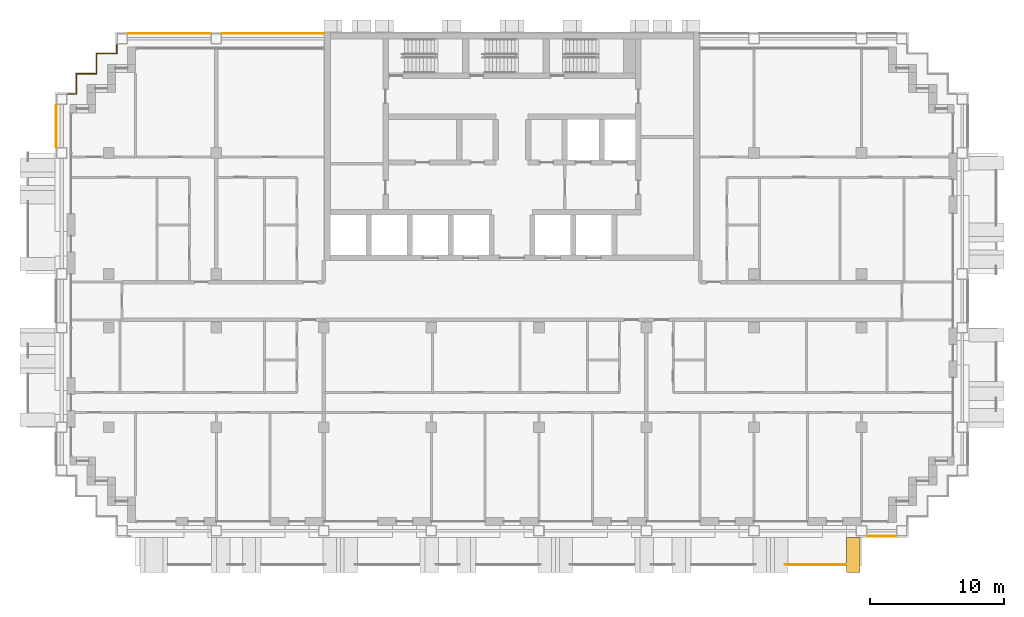
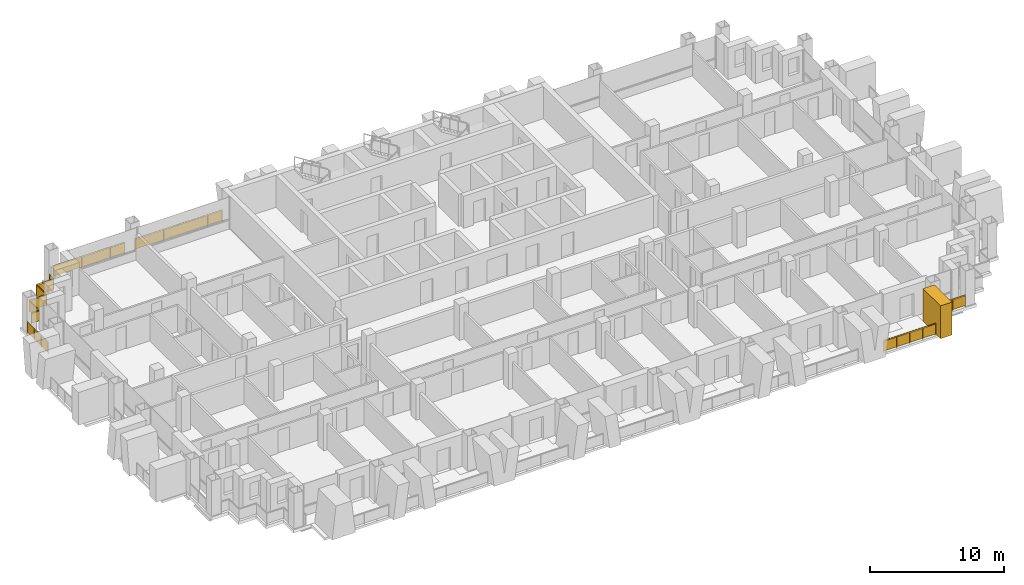
# One storey, part 15 of 17: 6 railings, 1 shading device.
"""IFC4 building model written with IfcOpenShell, lengths in metres."""

from ifc_helpers import new_model, si_unit, direction, frame, origin, origin_2d, place, context, subcontext, project, spatial, polyline, rectangle, circle, outline, extrude, material, layer, layer_set, type_object, element, save


model = new_model("IFC4")

# Units and contexts
model_context = context("Model", 3, precision=1e-05, world=origin(), true_north=direction((0.0, 1.0)))
body_context = subcontext(model_context, "Body", "Model", "MODEL_VIEW")
ifc_project = project(units=[si_unit("LENGTHUNIT", "METRE"), si_unit("AREAUNIT", "SQUARE_METRE"), si_unit("VOLUMEUNIT", "CUBIC_METRE"), si_unit("PLANEANGLEUNIT", "RADIAN"), si_unit("MASSUNIT", "GRAM", prefix="KILO")], contexts=[model_context])

# Site, building, storey
site_placement = place(None, origin())
site = spatial("IfcSite", under=ifc_project, at=site_placement, CompositionType="ELEMENT")
building_placement = place(site_placement, origin())
building = spatial("IfcBuilding", under=site, at=building_placement, Name="Vidyagriha Tower", CompositionType="ELEMENT")
storey_placement = place(building_placement, frame((0.0, 0.0, 139.0)))
storey = spatial("IfcBuildingStorey", under=building, at=storey_placement, Name="L36", CompositionType="ELEMENT", Elevation=139.0)

# Railing
ifc_material_1 = material(Name="Steel ASTM A500 Grade C black painted", Category="steel")
railing_type_1 = type_object("IfcRailingType", Name="Balcony guard 1100", PredefinedType="BALUSTRADE", material=ifc_material_1)
railing_1_placement = place(storey_placement, frame((20.321533203125, -19.60009765625, 0.0)))
element("IfcRailing", 1, at=railing_1_placement, inside=storey, type_object=railing_type_1, Name="Balcony guard L36 R23.1-10", PredefinedType="BALUSTRADE", context=body_context, shape_type="SweptSolid", body=[
    extrude(circle(Radius=0.02490234375, at=origin_2d()), frame((0.0, 0.0, 1.0751953125), z_axis=(1.0, 0.0, 0.0), x_axis=(0.0, 1.0, 0.0)), (0.0, 0.0, 1.0), 4.50341796875),
    extrude(circle(Radius=0.02001953125, at=origin_2d()), origin(), (0.0, 0.0, 1.0), 1.050048828125),
    extrude(circle(Radius=0.02001953125, at=origin_2d()), frame((1.1259765625, 0.0, 0.0)), (0.0, 0.0, 1.0), 1.050048828125),
    extrude(circle(Radius=0.02001953125, at=origin_2d()), frame((2.251708984375, 0.0, 0.0)), (0.0, 0.0, 1.0), 1.050048828125),
    extrude(circle(Radius=0.02001953125, at=origin_2d()), frame((3.37744140625, 0.0, 0.0)), (0.0, 0.0, 1.0), 1.050048828125),
    extrude(circle(Radius=0.02001953125, at=origin_2d()), frame((4.50341796875, 0.0, 0.0)), (0.0, 0.0, 1.0), 1.050048828125),
    extrude(rectangle(XDim=0.010009765625, YDim=0.900146484375, at=origin_2d()), frame((0.0, 0.0, 0.550048828125), z_axis=(1.0, 0.0, 0.0), x_axis=(0.0, 1.0, 0.0)), (0.0, 0.0, 1.0), 4.50341796875),
])

# Shading device
ifc_material_2 = material(Name="Precast concrete C40/50 with buff brick facing", Category="concrete")
ifc_layer = layer(ifc_material_2, 1.0)
ifc_layer_set = layer_set([ifc_layer], Name="Precast concrete C40/50 with buff brick facing")
shading_device_type = type_object("IfcShadingDeviceType", Name="Brick-faced blade fin stem 1000", PredefinedType="USERDEFINED", material=ifc_layer_set)
shading_device_placement = place(storey_placement, frame((24.875, -18.89990234375, 0.0)))
element("IfcShadingDevice", 2, at=shading_device_placement, inside=storey, type_object=shading_device_type, Name="Stem blade fin L36 R23.5400a", ObjectType="BLADE FIN", PredefinedType="USERDEFINED", context=body_context, shape_type="SweptSolid", body=[
    extrude(outline(polyline([(0.0, 0.0), (1.0, 0.0), (1.0, 3.0), (0.0, 3.0), (0.0, 0.0)])), frame((0.0, 1.300048828125, 0.0), z_axis=(0.0, -1.0, 0.0), x_axis=(1.0, 0.0, 0.0)), (0.0, 0.0, 1.0), 2.60009765625),
])

# Railings
ifc_material_3 = material(Name="Steel ASTM A500 Grade C black painted", Category="steel")
railing_type_2 = type_object("IfcRailingType", Name="Gallery guard 1100", PredefinedType="GUARDRAIL", material=ifc_material_3)
railing_2_placement = place(storey_placement, frame((-33.89990234375, 11.429931640625, 0.0)))
element("IfcRailing", 3, at=railing_2_placement, inside=storey, type_object=railing_type_2, Name="Gallery guard L36 3", PredefinedType="GUARDRAIL", context=body_context, shape_type="SweptSolid", body=[
    extrude(circle(Radius=0.02490234375, at=origin_2d()), frame((0.0, 0.0, 1.0751953125), z_axis=(0.0, 1.0, 0.0), x_axis=(-1.0, 0.0, 0.0)), (0.0, 0.0, 1.0), 3.14013671875),
    extrude(circle(Radius=0.02001953125, at=origin_2d()), origin(), (0.0, 0.0, 1.0), 1.050048828125),
    extrude(circle(Radius=0.02001953125, at=origin_2d()), frame((0.0, 1.046630859375, 0.0)), (0.0, 0.0, 1.0), 1.050048828125),
    extrude(circle(Radius=0.02001953125, at=origin_2d()), frame((0.0, 2.093505859375, 0.0)), (0.0, 0.0, 1.0), 1.050048828125),
    extrude(circle(Radius=0.02001953125, at=origin_2d()), frame((0.0, 3.14013671875, 0.0)), (0.0, 0.0, 1.0), 1.050048828125),
    extrude(rectangle(XDim=0.010009765625, YDim=0.900146484375, at=origin_2d()), frame((0.0, 0.0, 0.550048828125), z_axis=(0.0, 1.0, 0.0), x_axis=(-1.0, 0.0, 0.0)), (0.0, 0.0, 1.0), 3.14013671875),
])
railing_3_placement = place(storey_placement, frame((-33.070068359375, 15.39990234375, 0.0)))
element("IfcRailing", 4, at=railing_3_placement, inside=storey, type_object=railing_type_2, Name="Gallery guard L36 5", PredefinedType="GUARDRAIL", context=body_context, shape_type="SweptSolid", body=[
    extrude(circle(Radius=0.02490234375, at=origin_2d()), frame((0.0, 0.0, 1.0751953125), z_axis=(1.0, 0.0, 0.0), x_axis=(0.0, 1.0, 0.0)), (0.0, 0.0, 1.0), 0.670166015625),
    extrude(circle(Radius=0.02490234375, at=origin_2d()), frame((0.670166015625, 0.0, 1.0751953125), z_axis=(0.0, 1.0, 0.0), x_axis=(-1.0, 0.0, 0.0)), (0.0, 0.0, 1.0), 1.5),
    extrude(circle(Radius=0.02490234375, at=origin_2d()), frame((0.670166015625, 1.5, 1.0751953125), z_axis=(1.0, 0.0, 0.0), x_axis=(0.0, 1.0, 0.0)), (0.0, 0.0, 1.0), 1.5),
    extrude(circle(Radius=0.02490234375, at=origin_2d()), frame((2.170166015625, 1.5, 1.0751953125), z_axis=(0.0, 1.0, 0.0), x_axis=(-1.0, 0.0, 0.0)), (0.0, 0.0, 1.0), 1.5),
    extrude(circle(Radius=0.02490234375, at=origin_2d()), frame((2.170166015625, 3.0, 1.0751953125), z_axis=(1.0, 0.0, 0.0), x_axis=(0.0, 1.0, 0.0)), (0.0, 0.0, 1.0), 1.5),
    extrude(circle(Radius=0.02490234375, at=origin_2d()), frame((3.670166015625, 3.0, 1.0751953125), z_axis=(0.0, 1.0, 0.0), x_axis=(-1.0, 0.0, 0.0)), (0.0, 0.0, 1.0), 0.670166015625),
    extrude(circle(Radius=0.02001953125, at=origin_2d()), origin(), (0.0, 0.0, 1.0), 1.050048828125),
    extrude(circle(Radius=0.02001953125, at=origin_2d()), frame((0.670166015625, 0.0, 0.0)), (0.0, 0.0, 1.0), 1.050048828125),
    extrude(circle(Radius=0.02001953125, at=origin_2d()), frame((0.670166015625, 1.5, 0.0)), (0.0, 0.0, 1.0), 1.050048828125),
    extrude(circle(Radius=0.02001953125, at=origin_2d()), frame((2.170166015625, 1.5, 0.0)), (0.0, 0.0, 1.0), 1.050048828125),
    extrude(circle(Radius=0.02001953125, at=origin_2d()), frame((2.170166015625, 3.0, 0.0)), (0.0, 0.0, 1.0), 1.050048828125),
    extrude(circle(Radius=0.02001953125, at=origin_2d()), frame((3.670166015625, 3.0, 0.0)), (0.0, 0.0, 1.0), 1.050048828125),
    extrude(circle(Radius=0.02001953125, at=origin_2d()), frame((3.670166015625, 3.670166015625, 0.0)), (0.0, 0.0, 1.0), 1.050048828125),
    extrude(rectangle(XDim=0.010009765625, YDim=0.900146484375, at=origin_2d()), frame((0.0, 0.0, 0.550048828125), z_axis=(1.0, 0.0, 0.0), x_axis=(0.0, 1.0, 0.0)), (0.0, 0.0, 1.0), 0.670166015625),
    extrude(rectangle(XDim=0.010009765625, YDim=0.900146484375, at=origin_2d()), frame((0.670166015625, 0.0, 0.550048828125), z_axis=(0.0, 1.0, 0.0), x_axis=(-1.0, 0.0, 0.0)), (0.0, 0.0, 1.0), 1.5),
    extrude(rectangle(XDim=0.010009765625, YDim=0.900146484375, at=origin_2d()), frame((0.670166015625, 1.5, 0.550048828125), z_axis=(1.0, 0.0, 0.0), x_axis=(0.0, 1.0, 0.0)), (0.0, 0.0, 1.0), 1.5),
    extrude(rectangle(XDim=0.010009765625, YDim=0.900146484375, at=origin_2d()), frame((2.170166015625, 1.5, 0.550048828125), z_axis=(0.0, 1.0, 0.0), x_axis=(-1.0, 0.0, 0.0)), (0.0, 0.0, 1.0), 1.5),
    extrude(rectangle(XDim=0.010009765625, YDim=0.900146484375, at=origin_2d()), frame((2.170166015625, 3.0, 0.550048828125), z_axis=(1.0, 0.0, 0.0), x_axis=(0.0, 1.0, 0.0)), (0.0, 0.0, 1.0), 1.5),
    extrude(rectangle(XDim=0.010009765625, YDim=0.900146484375, at=origin_2d()), frame((3.670166015625, 3.0, 0.550048828125), z_axis=(0.0, 1.0, 0.0), x_axis=(-1.0, 0.0, 0.0)), (0.0, 0.0, 1.0), 0.670166015625),
])
railing_4_placement = place(storey_placement, frame((-28.570068359375, 19.89990234375, 0.0)))
element("IfcRailing", 5, at=railing_4_placement, inside=storey, type_object=railing_type_2, Name="Gallery guard L36 7", PredefinedType="GUARDRAIL", context=body_context, shape_type="SweptSolid", body=[
    extrude(circle(Radius=0.02490234375, at=origin_2d()), frame((0.0, 0.0, 1.0751953125), z_axis=(1.0, 0.0, 0.0), x_axis=(0.0, 1.0, 0.0)), (0.0, 0.0, 1.0), 6.14013671875),
    extrude(circle(Radius=0.02001953125, at=origin_2d()), origin(), (0.0, 0.0, 1.0), 1.050048828125),
    extrude(circle(Radius=0.02001953125, at=origin_2d()), frame((1.22802734375, 0.0, 0.0)), (0.0, 0.0, 1.0), 1.050048828125),
    extrude(circle(Radius=0.02001953125, at=origin_2d()), frame((2.4560546875, 0.0, 0.0)), (0.0, 0.0, 1.0), 1.050048828125),
    extrude(circle(Radius=0.02001953125, at=origin_2d()), frame((3.68408203125, 0.0, 0.0)), (0.0, 0.0, 1.0), 1.050048828125),
    extrude(circle(Radius=0.02001953125, at=origin_2d()), frame((4.912109375, 0.0, 0.0)), (0.0, 0.0, 1.0), 1.050048828125),
    extrude(circle(Radius=0.02001953125, at=origin_2d()), frame((6.14013671875, 0.0, 0.0)), (0.0, 0.0, 1.0), 1.050048828125),
    extrude(rectangle(XDim=0.010009765625, YDim=0.900146484375, at=origin_2d()), frame((0.0, 0.0, 0.550048828125), z_axis=(1.0, 0.0, 0.0), x_axis=(0.0, 1.0, 0.0)), (0.0, 0.0, 1.0), 6.14013671875),
])
railing_5_placement = place(storey_placement, frame((-21.570068359375, 19.89990234375, 0.0)))
element("IfcRailing", 6, at=railing_5_placement, inside=storey, type_object=railing_type_2, Name="Gallery guard L36 8", PredefinedType="GUARDRAIL", context=body_context, shape_type="SweptSolid", body=[
    extrude(circle(Radius=0.02490234375, at=origin_2d()), frame((0.0, 0.0, 1.0751953125), z_axis=(1.0, 0.0, 0.0), x_axis=(0.0, 1.0, 0.0)), (0.0, 0.0, 1.0), 7.590087890625),
    extrude(circle(Radius=0.02001953125, at=origin_2d()), origin(), (0.0, 0.0, 1.0), 1.050048828125),
    extrude(circle(Radius=0.02001953125, at=origin_2d()), frame((1.26513671875, 0.0, 0.0)), (0.0, 0.0, 1.0), 1.050048828125),
    extrude(circle(Radius=0.02001953125, at=origin_2d()), frame((2.530029296875, 0.0, 0.0)), (0.0, 0.0, 1.0), 1.050048828125),
    extrude(circle(Radius=0.02001953125, at=origin_2d()), frame((3.794921875, 0.0, 0.0)), (0.0, 0.0, 1.0), 1.050048828125),
    extrude(circle(Radius=0.02001953125, at=origin_2d()), frame((5.06005859375, 0.0, 0.0)), (0.0, 0.0, 1.0), 1.050048828125),
    extrude(circle(Radius=0.02001953125, at=origin_2d()), frame((6.3251953125, 0.0, 0.0)), (0.0, 0.0, 1.0), 1.050048828125),
    extrude(circle(Radius=0.02001953125, at=origin_2d()), frame((7.590087890625, 0.0, 0.0)), (0.0, 0.0, 1.0), 1.050048828125),
    extrude(rectangle(XDim=0.010009765625, YDim=0.900146484375, at=origin_2d()), frame((0.0, 0.0, 0.550048828125), z_axis=(1.0, 0.0, 0.0), x_axis=(0.0, 1.0, 0.0)), (0.0, 0.0, 1.0), 7.590087890625),
])
railing_6_placement = place(storey_placement, frame((28.570068359375, -17.5, 0.0)))
element("IfcRailing", 7, at=railing_6_placement, inside=storey, type_object=railing_type_2, Name="Gallery guard L36 11", PredefinedType="GUARDRAIL", context=body_context, shape_type="SweptSolid", body=[
    extrude(circle(Radius=0.02490234375, at=origin_2d()), frame((0.0, 0.0, 1.0751953125), z_axis=(-1.0, 0.0, 0.0), x_axis=(0.0, -1.0, 0.0)), (0.0, 0.0, 1.0), 2.14013671875),
    extrude(circle(Radius=0.02001953125, at=origin_2d()), origin(), (0.0, 0.0, 1.0), 1.050048828125),
    extrude(circle(Radius=0.02001953125, at=origin_2d()), frame((-1.070068359375, 0.0, 0.0)), (0.0, 0.0, 1.0), 1.050048828125),
    extrude(circle(Radius=0.02001953125, at=origin_2d()), frame((-2.14013671875, 0.0, 0.0)), (0.0, 0.0, 1.0), 1.050048828125),
    extrude(rectangle(XDim=0.010009765625, YDim=0.900146484375, at=origin_2d()), frame((0.0, 0.0, 0.550048828125), z_axis=(-1.0, 0.0, 0.0), x_axis=(0.0, -1.0, 0.0)), (0.0, 0.0, 1.0), 2.14013671875),
])

save(model, "model.ifc")
